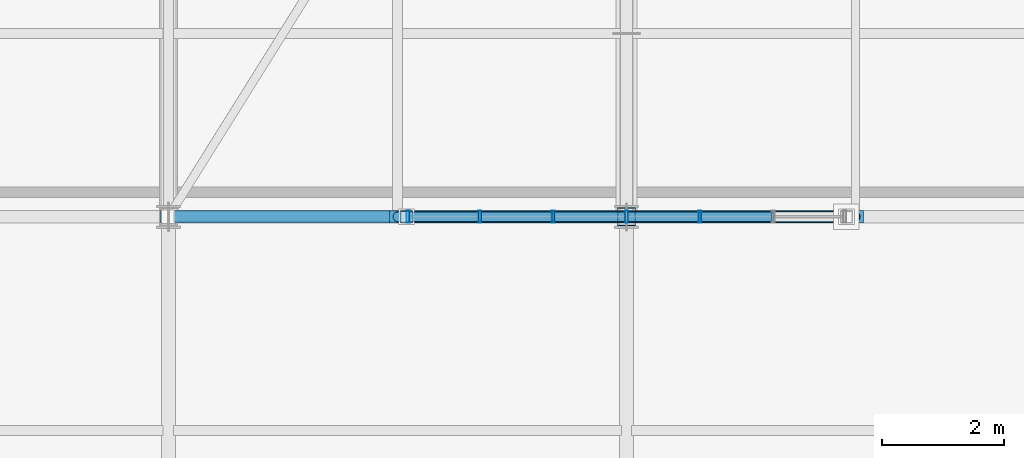
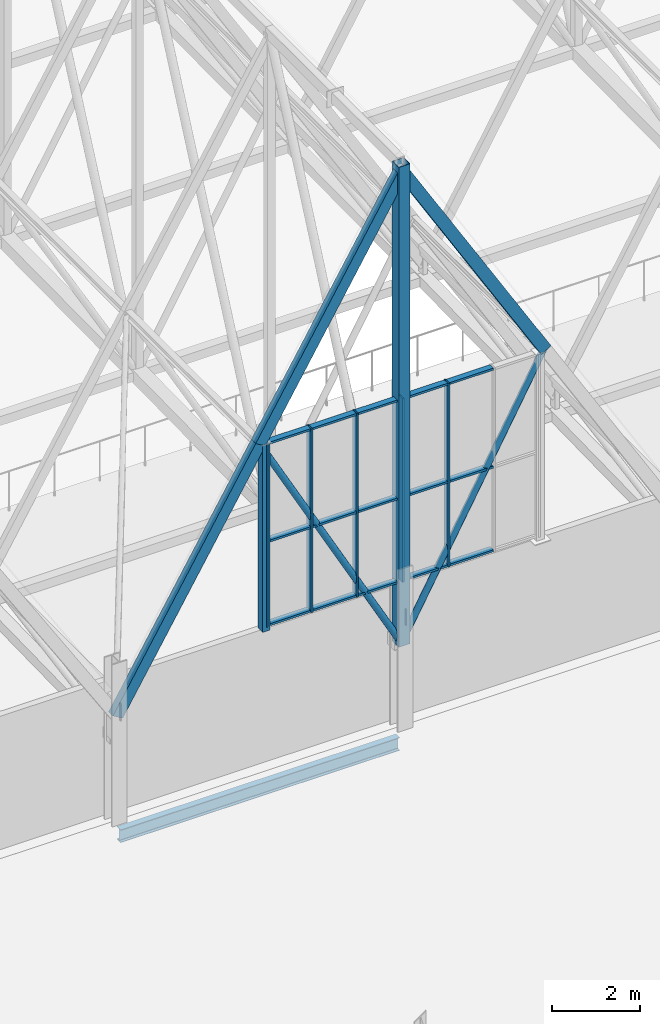
# One storey, part 93 of 324: 27 members, 1 beam, 1 element without a shape of its own.
"""IFC4 building model written with IfcOpenShell, lengths in metres."""

from ifc_helpers import new_model, si_unit, direction, frame, origin, origin_2d, place, context, subcontext, project, spatial, hollow_rectangle, hollow_circle, i_section, extrude, material, layer, layer_set, material_profile, profile_set, type_object, element, aggregate, save


model = new_model("IFC4")

# Units and contexts
model_context = context("Model", 3, precision=1e-05, world=origin(), true_north=direction((0.0, 1.0)))
body_context = subcontext(model_context, "Body", "Model", "MODEL_VIEW")
ifc_project = project(units=[si_unit("LENGTHUNIT", "METRE"), si_unit("AREAUNIT", "SQUARE_METRE"), si_unit("VOLUMEUNIT", "CUBIC_METRE"), si_unit("PLANEANGLEUNIT", "RADIAN"), si_unit("MASSUNIT", "GRAM", prefix="KILO")], contexts=[model_context])

# Site, building, storey
site_placement = place(None, origin())
site = spatial("IfcSite", under=ifc_project, at=site_placement, CompositionType="ELEMENT")
building_placement = place(site_placement, origin())
building = spatial("IfcBuilding", under=site, at=building_placement, Name="Solvenia Promenade Tram Depot", CompositionType="ELEMENT")
storey_placement = place(building_placement, frame((0.0, 0.0, 4.5)))
storey = spatial("IfcBuildingStorey", under=building, at=storey_placement, Name="L01", CompositionType="ELEMENT", Elevation=4.5)

# Curtain wall, members
ifc_material_1 = material(Name="Anodized aluminium AW-6063 T6", Category="aluminium")
ifc_layer = layer(ifc_material_1, 0.14990234375, Name="Anodized aluminium AW-6063 T6", Category="aluminium")
ifc_layer_set = layer_set([ifc_layer], Name="Anodized aluminium AW-6063 T6")
curtain_wall_type = type_object("IfcCurtainWallType", Name="CW-Gable-1200", PredefinedType="NOTDEFINED", material=ifc_layer_set)
curtain_wall_placement = place(storey_placement, origin())
curtain_wall = element("IfcCurtainWall", 1, at=curtain_wall_placement, inside=storey, type_object=curtain_wall_type, Name="South Zigzag Gable 03 Peak Glazing", PredefinedType="NOTDEFINED")
ifc_material_profile_1 = material_profile(ifc_material_1, hollow_rectangle(XDim=0.199951171875, YDim=0.048095703125, WallThickness=0.00390625, at=origin_2d()), Name="ALU-M3", Category="aluminium")
ifc_profile_set_1 = profile_set([ifc_material_profile_1], Name="Anodized aluminium AW-6063 T6")
member_type_1 = type_object("IfcMemberType", Name="CWM-Mullion-3", PredefinedType="MULLION", material=ifc_profile_set_1)
member_1_placement = place(storey_placement, frame((33.924072265625, 66.0, 4.050048828125), z_axis=(0.0, 0.0, 1.0), x_axis=(0.0, 1.0, 0.0)))
member_1 = element("IfcMember", 2, at=member_1_placement, type_object=member_type_1, Name="CW-3 mullion 1", PredefinedType="MULLION", context=body_context, shape_type="SweptSolid", body=[
    extrude(hollow_rectangle(XDim=0.199951171875, YDim=0.048095703125, WallThickness=0.00390625, at=origin_2d()), origin(), (0.0, 0.0, 1.0), 5.099853515625),
])
member_2_placement = place(storey_placement, frame((35.10009765625, 66.0, 4.050048828125), z_axis=(0.0, 0.0, 1.0), x_axis=(0.0, 1.0, 0.0)))
member_2 = element("IfcMember", 3, at=member_2_placement, type_object=member_type_1, Name="CW-3 mullion 2", PredefinedType="MULLION", context=body_context, shape_type="SweptSolid", body=[
    extrude(hollow_rectangle(XDim=0.199951171875, YDim=0.048095703125, WallThickness=0.00390625, at=origin_2d()), origin(), (0.0, 0.0, 1.0), 5.099853515625),
])
member_3_placement = place(storey_placement, frame((36.300048828125, 66.0, 4.050048828125), z_axis=(0.0, 0.0, 1.0), x_axis=(0.0, 1.0, 0.0)))
member_3 = element("IfcMember", 4, at=member_3_placement, type_object=member_type_1, Name="CW-3 mullion 3", PredefinedType="MULLION", context=body_context, shape_type="SweptSolid", body=[
    extrude(hollow_rectangle(XDim=0.199951171875, YDim=0.048095703125, WallThickness=0.00390625, at=origin_2d()), origin(), (0.0, 0.0, 1.0), 5.099853515625),
])
member_4_placement = place(storey_placement, frame((37.5, 66.0, 4.050048828125), z_axis=(0.0, 0.0, 1.0), x_axis=(0.0, 1.0, 0.0)))
member_4 = element("IfcMember", 5, at=member_4_placement, type_object=member_type_1, Name="CW-3 mullion 4", PredefinedType="MULLION", context=body_context, shape_type="SweptSolid", body=[
    extrude(hollow_rectangle(XDim=0.199951171875, YDim=0.048095703125, WallThickness=0.00390625, at=origin_2d()), origin(), (0.0, 0.0, 1.0), 5.099853515625),
])
member_5_placement = place(storey_placement, frame((38.699951171875, 66.0, 4.050048828125), z_axis=(0.0, 0.0, 1.0), x_axis=(0.0, 1.0, 0.0)))
member_5 = element("IfcMember", 6, at=member_5_placement, type_object=member_type_1, Name="CW-3 mullion 5", PredefinedType="MULLION", context=body_context, shape_type="SweptSolid", body=[
    extrude(hollow_rectangle(XDim=0.199951171875, YDim=0.048095703125, WallThickness=0.00390625, at=origin_2d()), origin(), (0.0, 0.0, 1.0), 5.099853515625),
])
ifc_material_profile_2 = material_profile(ifc_material_1, hollow_rectangle(XDim=0.159912109375, YDim=0.05810546875, WallThickness=0.00390625, at=origin_2d()), Name="ALU-T3", Category="aluminium")
ifc_profile_set_2 = profile_set([ifc_material_profile_2], Name="Anodized aluminium AW-6063 T6")
member_type_2 = type_object("IfcMemberType", Name="CWT-Transom-3", PredefinedType="USERDEFINED", material=ifc_profile_set_2)
member_6_placement = place(storey_placement, frame((33.947998046875, 66.0, 4.0791015625), z_axis=(1.0, 0.0, 0.0), x_axis=(0.0, 1.0, 0.0)))
member_6 = element("IfcMember", 7, at=member_6_placement, type_object=member_type_2, Name="CW-3 transom 1.1", ObjectType="TRANSOM", PredefinedType="USERDEFINED", context=body_context, shape_type="SweptSolid", body=[
    extrude(hollow_rectangle(XDim=0.159912109375, YDim=0.05810546875, WallThickness=0.00390625, at=origin_2d()), origin(), (0.0, 0.0, 1.0), 1.1279296875),
])
member_7_placement = place(storey_placement, frame((33.947998046875, 66.0, 6.39990234375), z_axis=(1.0, 0.0, 0.0), x_axis=(0.0, 1.0, 0.0)))
member_7 = element("IfcMember", 8, at=member_7_placement, type_object=member_type_2, Name="CW-3 transom 1.2", ObjectType="TRANSOM", PredefinedType="USERDEFINED", context=body_context, shape_type="SweptSolid", body=[
    extrude(hollow_rectangle(XDim=0.159912109375, YDim=0.05810546875, WallThickness=0.00390625, at=origin_2d()), origin(), (0.0, 0.0, 1.0), 1.1279296875),
])
member_8_placement = place(storey_placement, frame((33.947998046875, 66.0, 9.12109375), z_axis=(1.0, 0.0, 0.0), x_axis=(0.0, 1.0, 0.0)))
member_8 = element("IfcMember", 9, at=member_8_placement, type_object=member_type_2, Name="CW-3 transom 1.3", ObjectType="TRANSOM", PredefinedType="USERDEFINED", context=body_context, shape_type="SweptSolid", body=[
    extrude(hollow_rectangle(XDim=0.159912109375, YDim=0.05810546875, WallThickness=0.00390625, at=origin_2d()), origin(), (0.0, 0.0, 1.0), 1.1279296875),
])
member_9_placement = place(storey_placement, frame((35.1240234375, 66.0, 4.0791015625), z_axis=(1.0, 0.0, 0.0), x_axis=(0.0, 1.0, 0.0)))
member_9 = element("IfcMember", 10, at=member_9_placement, type_object=member_type_2, Name="CW-3 transom 2.1", ObjectType="TRANSOM", PredefinedType="USERDEFINED", context=body_context, shape_type="SweptSolid", body=[
    extrude(hollow_rectangle(XDim=0.159912109375, YDim=0.05810546875, WallThickness=0.00390625, at=origin_2d()), origin(), (0.0, 0.0, 1.0), 1.15185546875),
])
member_10_placement = place(storey_placement, frame((35.1240234375, 66.0, 6.39990234375), z_axis=(1.0, 0.0, 0.0), x_axis=(0.0, 1.0, 0.0)))
member_10 = element("IfcMember", 11, at=member_10_placement, type_object=member_type_2, Name="CW-3 transom 2.2", ObjectType="TRANSOM", PredefinedType="USERDEFINED", context=body_context, shape_type="SweptSolid", body=[
    extrude(hollow_rectangle(XDim=0.159912109375, YDim=0.05810546875, WallThickness=0.00390625, at=origin_2d()), origin(), (0.0, 0.0, 1.0), 1.15185546875),
])
member_11_placement = place(storey_placement, frame((35.1240234375, 66.0, 9.12109375), z_axis=(1.0, 0.0, 0.0), x_axis=(0.0, 1.0, 0.0)))
member_11 = element("IfcMember", 12, at=member_11_placement, type_object=member_type_2, Name="CW-3 transom 2.3", ObjectType="TRANSOM", PredefinedType="USERDEFINED", context=body_context, shape_type="SweptSolid", body=[
    extrude(hollow_rectangle(XDim=0.159912109375, YDim=0.05810546875, WallThickness=0.00390625, at=origin_2d()), origin(), (0.0, 0.0, 1.0), 1.15185546875),
])
member_12_placement = place(storey_placement, frame((36.323974609375, 66.0, 4.0791015625), z_axis=(1.0, 0.0, 0.0), x_axis=(0.0, 1.0, 0.0)))
member_12 = element("IfcMember", 13, at=member_12_placement, type_object=member_type_2, Name="CW-3 transom 3.1", ObjectType="TRANSOM", PredefinedType="USERDEFINED", context=body_context, shape_type="SweptSolid", body=[
    extrude(hollow_rectangle(XDim=0.159912109375, YDim=0.05810546875, WallThickness=0.00390625, at=origin_2d()), origin(), (0.0, 0.0, 1.0), 1.152099609375),
])
member_13_placement = place(storey_placement, frame((36.323974609375, 66.0, 6.39990234375), z_axis=(1.0, 0.0, 0.0), x_axis=(0.0, 1.0, 0.0)))
member_13 = element("IfcMember", 14, at=member_13_placement, type_object=member_type_2, Name="CW-3 transom 3.2", ObjectType="TRANSOM", PredefinedType="USERDEFINED", context=body_context, shape_type="SweptSolid", body=[
    extrude(hollow_rectangle(XDim=0.159912109375, YDim=0.05810546875, WallThickness=0.00390625, at=origin_2d()), origin(), (0.0, 0.0, 1.0), 1.152099609375),
])
member_14_placement = place(storey_placement, frame((36.323974609375, 66.0, 9.12109375), z_axis=(1.0, 0.0, 0.0), x_axis=(0.0, 1.0, 0.0)))
member_14 = element("IfcMember", 15, at=member_14_placement, type_object=member_type_2, Name="CW-3 transom 3.3", ObjectType="TRANSOM", PredefinedType="USERDEFINED", context=body_context, shape_type="SweptSolid", body=[
    extrude(hollow_rectangle(XDim=0.159912109375, YDim=0.05810546875, WallThickness=0.00390625, at=origin_2d()), origin(), (0.0, 0.0, 1.0), 1.152099609375),
])
member_15_placement = place(storey_placement, frame((37.52392578125, 66.0, 4.0791015625), z_axis=(1.0, 0.0, 0.0), x_axis=(0.0, 1.0, 0.0)))
member_15 = element("IfcMember", 16, at=member_15_placement, type_object=member_type_2, Name="CW-3 transom 4.1", ObjectType="TRANSOM", PredefinedType="USERDEFINED", context=body_context, shape_type="SweptSolid", body=[
    extrude(hollow_rectangle(XDim=0.159912109375, YDim=0.05810546875, WallThickness=0.00390625, at=origin_2d()), origin(), (0.0, 0.0, 1.0), 1.152099609375),
])
member_16_placement = place(storey_placement, frame((37.52392578125, 66.0, 6.39990234375), z_axis=(1.0, 0.0, 0.0), x_axis=(0.0, 1.0, 0.0)))
member_16 = element("IfcMember", 17, at=member_16_placement, type_object=member_type_2, Name="CW-3 transom 4.2", ObjectType="TRANSOM", PredefinedType="USERDEFINED", context=body_context, shape_type="SweptSolid", body=[
    extrude(hollow_rectangle(XDim=0.159912109375, YDim=0.05810546875, WallThickness=0.00390625, at=origin_2d()), origin(), (0.0, 0.0, 1.0), 1.152099609375),
])
member_17_placement = place(storey_placement, frame((37.52392578125, 66.0, 9.12109375), z_axis=(1.0, 0.0, 0.0), x_axis=(0.0, 1.0, 0.0)))
member_17 = element("IfcMember", 18, at=member_17_placement, type_object=member_type_2, Name="CW-3 transom 4.3", ObjectType="TRANSOM", PredefinedType="USERDEFINED", context=body_context, shape_type="SweptSolid", body=[
    extrude(hollow_rectangle(XDim=0.159912109375, YDim=0.05810546875, WallThickness=0.00390625, at=origin_2d()), origin(), (0.0, 0.0, 1.0), 1.152099609375),
])
member_18_placement = place(storey_placement, frame((38.72412109375, 66.0, 4.0791015625), z_axis=(1.0, 0.0, 0.0), x_axis=(0.0, 1.0, 0.0)))
member_18 = element("IfcMember", 19, at=member_18_placement, type_object=member_type_2, Name="CW-3 transom 5.1", ObjectType="TRANSOM", PredefinedType="USERDEFINED", context=body_context, shape_type="SweptSolid", body=[
    extrude(hollow_rectangle(XDim=0.159912109375, YDim=0.05810546875, WallThickness=0.00390625, at=origin_2d()), origin(), (0.0, 0.0, 1.0), 1.15185546875),
])
member_19_placement = place(storey_placement, frame((38.72412109375, 66.0, 6.39990234375), z_axis=(1.0, 0.0, 0.0), x_axis=(0.0, 1.0, 0.0)))
member_19 = element("IfcMember", 20, at=member_19_placement, type_object=member_type_2, Name="CW-3 transom 5.2", ObjectType="TRANSOM", PredefinedType="USERDEFINED", context=body_context, shape_type="SweptSolid", body=[
    extrude(hollow_rectangle(XDim=0.159912109375, YDim=0.05810546875, WallThickness=0.00390625, at=origin_2d()), origin(), (0.0, 0.0, 1.0), 1.15185546875),
])
member_20_placement = place(storey_placement, frame((38.72412109375, 66.0, 9.12109375), z_axis=(1.0, 0.0, 0.0), x_axis=(0.0, 1.0, 0.0)))
member_20 = element("IfcMember", 21, at=member_20_placement, type_object=member_type_2, Name="CW-3 transom 5.3", ObjectType="TRANSOM", PredefinedType="USERDEFINED", context=body_context, shape_type="SweptSolid", body=[
    extrude(hollow_rectangle(XDim=0.159912109375, YDim=0.05810546875, WallThickness=0.00390625, at=origin_2d()), origin(), (0.0, 0.0, 1.0), 1.15185546875),
])
aggregate(curtain_wall, [member_1, member_2, member_3, member_4, member_5, member_6, member_7, member_8, member_9, member_10, member_11, member_12, member_13, member_14, member_15, member_16, member_17, member_18, member_19, member_20])

# Members
ifc_material_2 = material(Name="Structural steel ASTM A500 Gr. C", Category="steel")
ifc_material_profile_3 = material_profile(ifc_material_2, hollow_rectangle(XDim=0.199951171875, YDim=0.300048828125, WallThickness=0.012451171875, at=origin_2d()), Name="HSS300x200x12.5", Category="steel")
ifc_profile_set_3 = profile_set([ifc_material_profile_3], Name="Structural steel ASTM A500 Gr. C")
member_type_3 = type_object("IfcMemberType", Name="Chord-HSS300x200x12", PredefinedType="CHORD", material=ifc_profile_set_3)
for number, where, z_axis, x_axis, name in (
    (22, (30.0, 66.0, 2.93017578125), (0.514584433357, 0.0, 0.857439712718), (0.0, 1.0, 0.0), "Zigzag Gable 03 West Lower Rafter"),
    (23, (33.75, 66.0, 9.1787109375), (0.514584433357, 0.0, 0.857439712718), (0.0, 1.0, 0.0), "Zigzag Gable 03 West Upper Rafter"),
    (24, (37.5, 66.0, 15.42724609375), (0.514584433357, 0.0, -0.857439712718), (0.0, 1.0, 0.0), "Zigzag Gable 03 East Upper Rafter"),
):
    element("IfcMember", number, at=place(storey_placement, frame(where, z_axis=z_axis, x_axis=x_axis)), inside=storey, type_object=member_type_3, Name=name, PredefinedType="CHORD", context=body_context, shape_type="SweptSolid", body=[
        extrude(hollow_rectangle(XDim=0.199951171875, YDim=0.300048828125, WallThickness=0.012451171875, at=origin_2d()), origin(), (0.0, 0.0, 1.0), 7.287353515625),
    ])
ifc_material_profile_4 = material_profile(ifc_material_2, hollow_rectangle(XDim=0.300048828125, YDim=0.300048828125, WallThickness=0.012451171875, at=origin_2d()), Name="HSS300x300x12.5", Category="steel")
ifc_profile_set_4 = profile_set([ifc_material_profile_4], Name="Structural steel ASTM A500 Gr. C")
member_type_4 = type_object("IfcMemberType", Name="Chord-HSS300x300x12", PredefinedType="CHORD", material=ifc_profile_set_4)
member_21_placement = place(storey_placement, frame((37.5, 66.0, 2.320068359375), z_axis=(0.0, 0.0, 1.0), x_axis=(1.0, 0.0, 0.0)))
element("IfcMember", 25, at=member_21_placement, inside=storey, type_object=member_type_4, Name="Arched Truss T06 S End Post", PredefinedType="CHORD", context=body_context, shape_type="SweptSolid", body=[
    extrude(hollow_rectangle(XDim=0.300048828125, YDim=0.300048828125, WallThickness=0.012451171875, at=origin_2d()), origin(), (0.0, 0.0, 1.0), 13.326904296875),
])
ifc_material_profile_5 = material_profile(ifc_material_2, hollow_rectangle(XDim=0.199951171875, YDim=0.199951171875, WallThickness=0.010009765625, at=origin_2d()), Name="HSS200x200x10", Category="steel")
ifc_profile_set_5 = profile_set([ifc_material_profile_5], Name="Structural steel ASTM A500 Gr. C")
member_type_5 = type_object("IfcMemberType", Name="Post-HSS200x200x10", PredefinedType="POST", material=ifc_profile_set_5)
member_22_placement = place(storey_placement, frame((33.89990234375, 66.0, 3.949951171875), z_axis=(0.0, 0.0, 1.0), x_axis=(1.0, 0.0, 0.0)))
element("IfcMember", 26, at=member_22_placement, inside=storey, type_object=member_type_5, Name="Gable Curtain-Wall Steel Jamb Post 011", PredefinedType="POST", context=body_context, shape_type="SweptSolid", body=[
    extrude(hollow_rectangle(XDim=0.199951171875, YDim=0.199951171875, WallThickness=0.010009765625, at=origin_2d()), origin(), (0.0, 0.0, 1.0), 5.199951171875),
])

# Beam
ifc_material_3 = material(Name="Structural steel ASTM A992 Gr. 50", Category="steel")
ifc_material_profile_6 = material_profile(ifc_material_3, i_section(OverallWidth=0.172119140625, OverallDepth=0.35791015625, WebThickness=0.0078125, FlangeThickness=0.01318359375, FilletRadius=0.010986328125, at=origin_2d()), Name="W360x57", Category="steel")
ifc_profile_set_6 = profile_set([ifc_material_profile_6], Name="Structural steel ASTM A992 Gr. 50")
beam_type = type_object("IfcBeamType", Name="Spandrel-W360x57", PredefinedType="SPANDREL", material=ifc_profile_set_6)
beam_placement = place(storey_placement, frame((30.0849609375, 66.0, -0.4189453125), z_axis=(1.0, 0.0, 0.0), x_axis=(0.0, 1.0, 0.0)))
element("IfcBeam", 27, at=beam_placement, inside=storey, type_object=beam_type, Name="Perimeter Spandrel BM-L01-0005", PredefinedType="SPANDREL", context=body_context, shape_type="SweptSolid", body=[
    extrude(i_section(OverallWidth=0.172119140625, OverallDepth=0.35791015625, WebThickness=0.0078125, FlangeThickness=0.01318359375, FilletRadius=0.010986328125, at=origin_2d()), origin(), (0.0, 0.0, 1.0), 7.330078125),
])

# Members
ifc_material_profile_7 = material_profile(ifc_material_2, hollow_circle(Radius=0.084228515625, WallThickness=0.008056640625, at=origin_2d()), Name="CHS168.3x8", Category="steel")
ifc_profile_set_7 = profile_set([ifc_material_profile_7], Name="Structural steel ASTM A500 Gr. C")
member_type_6 = type_object("IfcMemberType", Name="WebDiag-CHS168x8", PredefinedType="BRACE", material=ifc_profile_set_7)
for number, where, z_axis, x_axis, name in (
    (28, (37.5, 66.0, 2.320068359375), (-0.479731573224, 0.0, 0.877415305116), (0.0, -1.0, 0.0), "Zigzag Gable 03 West Knee Strut"),
    (29, (37.5, 66.0, 2.320068359375), (0.479731573224, 0.0, 0.877415305116), (0.0, 1.0, 0.0), "Zigzag Gable 03 East Knee Strut"),
):
    element("IfcMember", number, at=place(storey_placement, frame(where, z_axis=z_axis, x_axis=x_axis)), inside=storey, type_object=member_type_6, Name=name, PredefinedType="BRACE", context=body_context, shape_type="SweptSolid", body=[
        extrude(hollow_circle(Radius=0.084228515625, WallThickness=0.008056640625, at=origin_2d()), origin(), (0.0, 0.0, 1.0), 7.81689453125),
    ])

save(model, "model.ifc")
